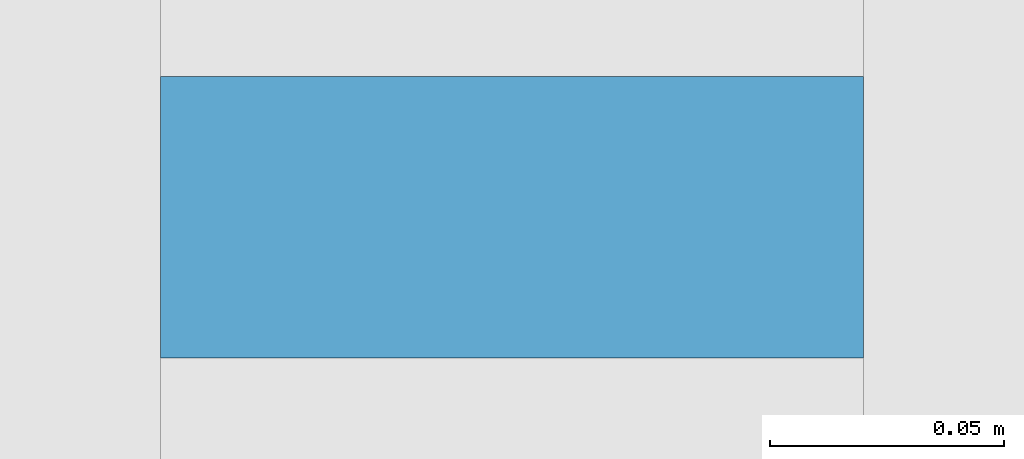
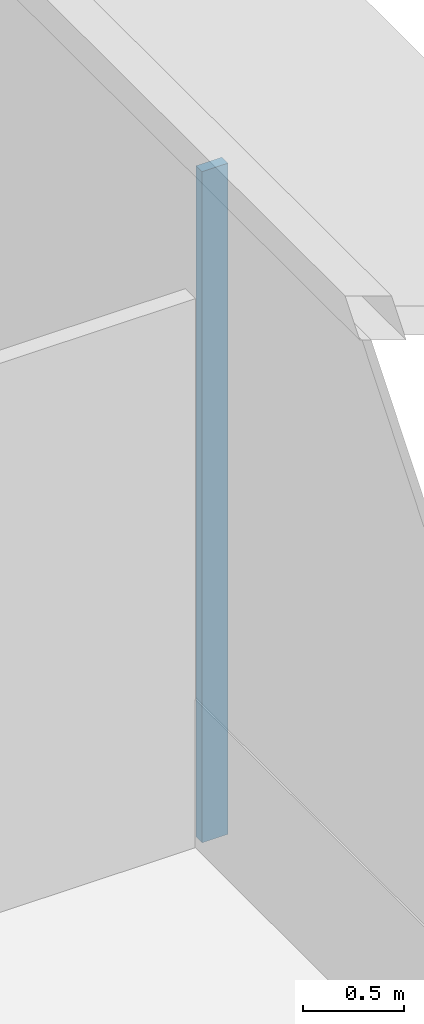
# One storey, part 13 of 22: 1 member, 1 element without a shape of its own.
"""IFC4 building model written with IfcOpenShell, lengths in metres."""

from ifc_helpers import new_model, si_unit, direction, frame, origin, origin_2d, place, context, subcontext, project, spatial, rectangle, extrude, source, transform, mapped, material, layer, layer_set, material_profile, profile_set, type_object, element, aggregate, save


model = new_model("IFC4")

# Units and contexts
model_context = context("Model", 3, precision=1e-05, world=origin(), true_north=direction((0.0, 1.0)))
body_context = subcontext(model_context, "Body", "Model", "MODEL_VIEW")
ifc_project = project(units=[si_unit("LENGTHUNIT", "METRE"), si_unit("AREAUNIT", "SQUARE_METRE"), si_unit("VOLUMEUNIT", "CUBIC_METRE"), si_unit("PLANEANGLEUNIT", "RADIAN"), si_unit("MASSUNIT", "GRAM", prefix="KILO")], contexts=[model_context])

# Site, building, storey
site_placement = place(None, origin())
site = spatial("IfcSite", under=ifc_project, at=site_placement, CompositionType="ELEMENT")
building_placement = place(site_placement, origin())
building = spatial("IfcBuilding", under=site, at=building_placement, Name="Trellis Farm Tower", CompositionType="ELEMENT")
storey_placement = place(building_placement, frame((0.0, 0.0, 65.5)))
storey = spatial("IfcBuildingStorey", under=building, at=storey_placement, Name="L13", CompositionType="ELEMENT", Elevation=65.5)

# Curtain wall, member
ifc_material_1 = material(Name="Aluminium and glass curtain wall", Category="aluminium")
ifc_layer = layer(ifc_material_1, 0.18994140625)
ifc_layer_set = layer_set([ifc_layer], Name="RIBBON CURTAIN WALL CW1")
curtain_wall_type = type_object("IfcCurtainWallType", Name="RIBBON CURTAIN WALL CW1", PredefinedType="NOTDEFINED", material=ifc_layer_set)
curtain_wall_placement = place(storey_placement, origin())
curtain_wall = element("IfcCurtainWall", 1, at=curtain_wall_placement, inside=storey, type_object=curtain_wall_type, Name="CW1 007", PredefinedType="NOTDEFINED")
ifc_material_2 = material(Name="Aluminium extrusion 6063-T6", Category="aluminium")
ifc_material_profile = material_profile(ifc_material_2, rectangle(XDim=0.06005859375, YDim=0.14990234375, at=origin_2d()), Name="MULLION 60x150")
ifc_profile_set = profile_set([ifc_material_profile], Name="Aluminium extrusion 6063-T6")
member_type = type_object("IfcMemberType", Name="CW1 MULLION 60x150", PredefinedType="MULLION", material=ifc_profile_set)
shared_shape = source(origin(), body_context, "Body", "SweptSolid", [
    extrude(rectangle(XDim=0.06005859375, YDim=0.14990234375, at=origin_2d()), origin(), (0.0, 0.0, 1.0), 4.070068359375),
])
member_placement = place(storey_placement, frame((32.425048828125, 0.0, 0.0), z_axis=(0.0, 0.0, 1.0), x_axis=(0.0, 1.0, 0.0)))
member = element("IfcMember", 2, at=member_placement, type_object=member_type, Name="MU1 007-01", PredefinedType="MULLION", context=body_context, shape_type="MappedRepresentation", body=[
    mapped(shared_shape, transform((0.0, 0.0, 0.0))),
])
aggregate(curtain_wall, [member])

save(model, "model.ifc")
